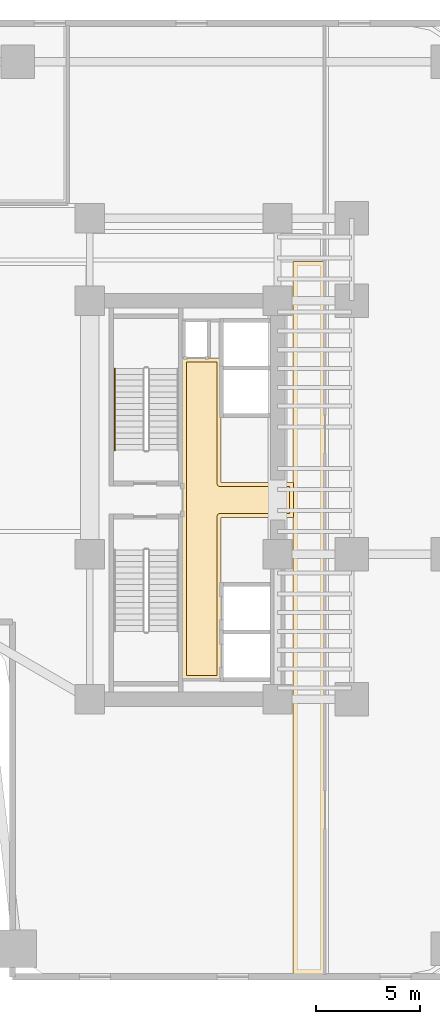
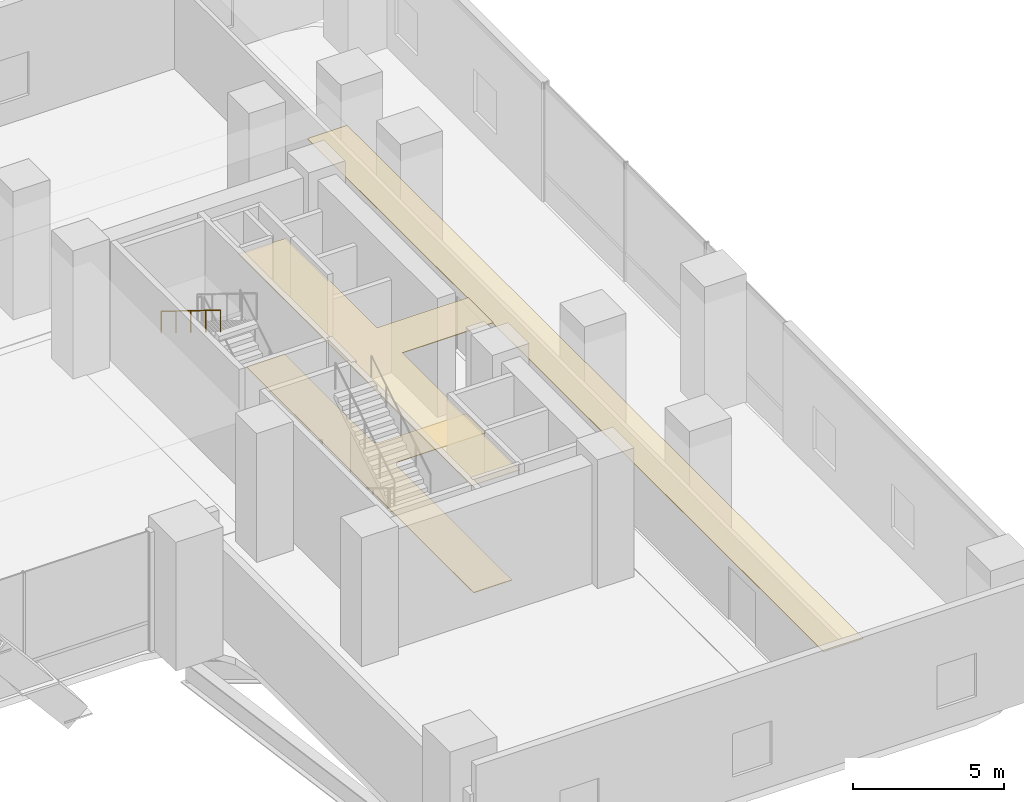
# One storey, part 36 of 39: 3 coverings, 1 railing.
"""IFC4 building model written with IfcOpenShell, lengths in metres."""

from ifc_helpers import new_model, si_unit, direction, frame, origin, origin_2d, place, context, subcontext, project, spatial, polyline, circle, outline, extrude, material, layer, layer_set, type_object, element, save


model = new_model("IFC4")

# Units and contexts
model_context = context("Model", 3, precision=1e-05, world=origin(), true_north=direction((0.0, 1.0)))
body_context = subcontext(model_context, "Body", "Model", "MODEL_VIEW")
ifc_project = project(units=[si_unit("LENGTHUNIT", "METRE"), si_unit("AREAUNIT", "SQUARE_METRE"), si_unit("VOLUMEUNIT", "CUBIC_METRE"), si_unit("PLANEANGLEUNIT", "RADIAN"), si_unit("MASSUNIT", "GRAM", prefix="KILO")], contexts=[model_context])

# Site, building, storey
site_placement = place(None, origin())
site = spatial("IfcSite", under=ifc_project, at=site_placement, CompositionType="ELEMENT")
building_placement = place(site_placement, origin())
building = spatial("IfcBuilding", under=site, at=building_placement, Name="Valdorenza Pilgrim Sanctuary Tower", CompositionType="ELEMENT")
storey_placement = place(building_placement, frame((0.0, 0.0, 15.60009765625)))
storey = spatial("IfcBuildingStorey", under=building, at=storey_placement, Name="L03", CompositionType="ELEMENT", Elevation=15.60009765625)

# Coverings
ifc_material_1 = material(Name="Micro-perforated acoustic mineral ceiling tile", Category="gypsum")
ifc_layer_1 = layer(ifc_material_1, 0.02490234375, Name="Micro-perforated acoustic mineral ceiling tile")
ifc_layer_set_1 = layer_set([ifc_layer_1], Name="Micro-perforated acoustic mineral ceiling tile")
covering_type_1 = type_object("IfcCoveringType", Name="COV-CLG-ACU", PredefinedType="CEILING", material=ifc_layer_set_1)
covering_1_placement = place(storey_placement, frame((0.0, 0.0, 4.5)))
element("IfcCovering", 1, at=covering_1_placement, inside=storey, type_object=covering_type_1, Name="L03 Core B Passenger Lift Lobby Acoustic Ceiling", PredefinedType="CEILING", context=body_context, shape_type="SweptSolid", body=[
    extrude(outline(polyline([(20.287109375, -0.814697265625), (20.287109375, 0.814697265625), (20.28662109375, 0.815185546875), (20.2861328125, 0.81640625), (20.28564453125, 0.81787109375), (20.285400390625, 0.819091796875), (20.28515625, 0.820556640625), (20.284912109375, 0.822021484375), (20.284912109375, 6.800048828125), (20.28515625, 6.801513671875), (20.285400390625, 6.802978515625), (20.28564453125, 6.804443359375), (20.2861328125, 6.8056640625), (20.286865234375, 6.80712890625), (20.28759765625, 6.808349609375), (20.288330078125, 6.8095703125), (20.289306640625, 6.810546875), (20.29052734375, 6.8115234375), (20.291748046875, 6.8125), (20.29296875, 6.813232421875), (20.294189453125, 6.81396484375), (20.295654296875, 6.814453125), (20.297119140625, 6.814697265625), (20.298583984375, 6.81494140625), (20.300048828125, 6.81494140625), (20.347900390625, 6.81494140625), (20.349365234375, 6.81494140625), (20.350830078125, 6.814697265625), (20.352294921875, 6.814453125), (20.353515625, 6.81396484375), (20.35498046875, 6.813232421875), (20.35546875, 6.81298828125), (21.544677734375, 6.81298828125), (21.545166015625, 6.813232421875), (21.54638671875, 6.81396484375), (21.5478515625, 6.814453125), (21.54931640625, 6.814697265625), (21.550537109375, 6.81494140625), (21.552001953125, 6.81494140625), (22.1201171875, 6.81494140625), (22.12158203125, 6.81494140625), (22.122802734375, 6.814697265625), (22.12451171875, 6.814453125), (22.125732421875, 6.81396484375), (22.127197265625, 6.813232421875), (22.12841796875, 6.8125), (22.12939453125, 6.8115234375), (22.130615234375, 6.810546875), (22.131591796875, 6.8095703125), (22.132568359375, 6.808349609375), (22.13330078125, 6.80712890625), (22.1337890625, 6.8056640625), (22.134521484375, 6.804443359375), (22.134765625, 6.802978515625), (22.135009765625, 6.801513671875), (22.135009765625, 6.800048828125), (22.135009765625, 0.8349609375), (25.60009765625, 0.8349609375), (25.6015625, 0.8349609375), (25.602783203125, 0.834716796875), (25.6044921875, 0.83447265625), (25.605712890625, 0.833984375), (25.607177734375, 0.833251953125), (25.6083984375, 0.83251953125), (25.609619140625, 0.83154296875), (25.610595703125, 0.83056640625), (25.611572265625, 0.82958984375), (25.612548828125, 0.828369140625), (25.61328125, 0.8271484375), (25.614013671875, 0.82568359375), (25.614501953125, 0.824462890625), (25.61474609375, 0.822998046875), (25.614990234375, 0.821533203125), (25.614990234375, 0.820068359375), (25.614990234375, -0.820068359375), (25.614990234375, -0.821533203125), (25.61474609375, -0.822998046875), (25.614501953125, -0.824462890625), (25.614013671875, -0.82568359375), (25.61328125, -0.8271484375), (25.612548828125, -0.828369140625), (25.611572265625, -0.82958984375), (25.610595703125, -0.83056640625), (25.609619140625, -0.83154296875), (25.6083984375, -0.83251953125), (25.607177734375, -0.833251953125), (25.605712890625, -0.833984375), (25.6044921875, -0.83447265625), (25.602783203125, -0.834716796875), (25.6015625, -0.8349609375), (25.60009765625, -0.8349609375), (22.135009765625, -0.8349609375), (22.135009765625, -8.60009765625), (22.135009765625, -8.6015625), (22.134765625, -8.602783203125), (22.134521484375, -8.6044921875), (22.1337890625, -8.605712890625), (22.13330078125, -8.607177734375), (22.132568359375, -8.6083984375), (22.131591796875, -8.609619140625), (22.130615234375, -8.610595703125), (22.12939453125, -8.611572265625), (22.12841796875, -8.612548828125), (22.127197265625, -8.61328125), (22.125732421875, -8.614013671875), (22.12451171875, -8.614501953125), (22.122802734375, -8.61474609375), (22.12158203125, -8.614990234375), (22.1201171875, -8.614990234375), (20.300048828125, -8.614990234375), (20.298583984375, -8.614990234375), (20.297119140625, -8.61474609375), (20.295654296875, -8.614501953125), (20.294189453125, -8.614013671875), (20.29296875, -8.61328125), (20.291748046875, -8.612548828125), (20.29052734375, -8.611572265625), (20.289306640625, -8.610595703125), (20.288330078125, -8.609619140625), (20.28759765625, -8.6083984375), (20.286865234375, -8.607177734375), (20.2861328125, -8.605712890625), (20.28564453125, -8.6044921875), (20.285400390625, -8.602783203125), (20.28515625, -8.6015625), (20.284912109375, -8.60009765625), (20.284912109375, -0.822021484375), (20.28515625, -0.820556640625), (20.285400390625, -0.819091796875), (20.28564453125, -0.81787109375), (20.2861328125, -0.81640625), (20.28662109375, -0.815185546875), (20.287109375, -0.814697265625)])), origin(), (0.0, 0.0, 1.0), 0.02490234375),
])
covering_2_placement = place(storey_placement, frame((0.0, 0.0, 4.5)))
element("IfcCovering", 2, at=covering_2_placement, inside=storey, type_object=covering_type_1, Name="L03 L03 Podium East Corridor Acoustic Ceiling", PredefinedType="CEILING", context=body_context, shape_type="SweptSolid", body=[
    extrude(outline(polyline([(25.5869140625, -0.814697265625), (25.5869140625, 0.814697265625), (25.586669921875, 0.815185546875), (25.586181640625, 0.81640625), (25.585693359375, 0.81787109375), (25.585205078125, 0.819091796875), (25.585205078125, 0.820556640625), (25.5849609375, 0.822021484375), (25.5849609375, 11.41796875), (25.585205078125, 11.41943359375), (25.585205078125, 11.4208984375), (25.585693359375, 11.42236328125), (25.586181640625, 11.423583984375), (25.5869140625, 11.425048828125), (25.58740234375, 11.42626953125), (25.58837890625, 11.427490234375), (25.58935546875, 11.4287109375), (25.590576171875, 11.4296875), (25.591796875, 11.430419921875), (25.593017578125, 11.43115234375), (25.59423828125, 11.431884765625), (25.595703125, 11.432373046875), (25.59716796875, 11.4326171875), (25.598388671875, 11.432861328125), (25.60009765625, 11.43310546875), (27.097900390625, 11.43310546875), (27.099609375, 11.432861328125), (27.100830078125, 11.4326171875), (27.102294921875, 11.432373046875), (27.103759765625, 11.431884765625), (27.10498046875, 11.43115234375), (27.106201171875, 11.430419921875), (27.107421875, 11.4296875), (27.108642578125, 11.4287109375), (27.109619140625, 11.427490234375), (27.110595703125, 11.42626953125), (27.111083984375, 11.425048828125), (27.11181640625, 11.423583984375), (27.1123046875, 11.42236328125), (27.11279296875, 11.4208984375), (27.11279296875, 11.41943359375), (27.113037109375, 11.41796875), (27.113037109375, -22.699951171875), (27.11279296875, -22.701416015625), (27.11279296875, -22.702880859375), (27.1123046875, -22.704345703125), (27.11181640625, -22.705810546875), (27.111083984375, -22.70703125), (27.110595703125, -22.708251953125), (27.109619140625, -22.70947265625), (27.108642578125, -22.710693359375), (27.107421875, -22.711669921875), (27.106201171875, -22.71240234375), (27.10498046875, -22.713134765625), (27.103759765625, -22.7138671875), (27.102294921875, -22.71435546875), (27.100830078125, -22.714599609375), (27.099609375, -22.71484375), (27.097900390625, -22.715087890625), (25.60009765625, -22.715087890625), (25.598388671875, -22.71484375), (25.59716796875, -22.714599609375), (25.595703125, -22.71435546875), (25.59423828125, -22.7138671875), (25.593017578125, -22.713134765625), (25.591796875, -22.71240234375), (25.590576171875, -22.711669921875), (25.58935546875, -22.710693359375), (25.58837890625, -22.70947265625), (25.58740234375, -22.708251953125), (25.5869140625, -22.70703125), (25.586181640625, -22.705810546875), (25.585693359375, -22.704345703125), (25.585205078125, -22.702880859375), (25.585205078125, -22.701416015625), (25.5849609375, -22.699951171875), (25.5849609375, -0.822021484375), (25.585205078125, -0.820556640625), (25.585205078125, -0.819091796875), (25.585693359375, -0.81787109375), (25.586181640625, -0.81640625), (25.586669921875, -0.815185546875), (25.5869140625, -0.814697265625)])), origin(), (0.0, 0.0, 1.0), 0.02490234375),
])
ifc_material_2 = material(Name="Honed travertine stone flooring", Category="masonry")
ifc_layer_2 = layer(ifc_material_2, 0.030029296875, Name="Honed travertine stone flooring")
ifc_layer_set_2 = layer_set([ifc_layer_2], Name="Honed travertine stone flooring")
covering_type_2 = type_object("IfcCoveringType", Name="COV-FLR-TRV", PredefinedType="FLOORING", material=ifc_layer_set_2)
covering_3_placement = place(storey_placement, origin())
element("IfcCovering", 3, at=covering_3_placement, inside=storey, type_object=covering_type_2, Name="L03 Core B Passenger Lift Lobby Flooring", PredefinedType="FLOORING", context=body_context, shape_type="SweptSolid", body=[
    extrude(outline(polyline([(20.47998046875, 6.617919921875), (21.550048828125, 6.617919921875), (21.550537109375, 6.617919921875), (21.93994140625, 6.619384765625), (21.93994140625, 0.820068359375), (21.94091796875, 0.802490234375), (21.943603515625, 0.784912109375), (21.94775390625, 0.767578125), (21.95361328125, 0.751220703125), (21.961181640625, 0.735107421875), (21.97021484375, 0.719970703125), (21.98095703125, 0.705810546875), (21.99267578125, 0.692626953125), (22.005859375, 0.680908203125), (22.02001953125, 0.67041015625), (22.03515625, 0.661376953125), (22.051025390625, 0.65380859375), (22.067626953125, 0.647705078125), (22.0849609375, 0.6435546875), (22.102294921875, 0.640869140625), (22.1201171875, 0.639892578125), (25.419921875, 0.639892578125), (25.419921875, -0.639892578125), (22.1201171875, -0.639892578125), (22.102294921875, -0.640869140625), (22.0849609375, -0.6435546875), (22.067626953125, -0.647705078125), (22.051025390625, -0.65380859375), (22.03515625, -0.661376953125), (22.02001953125, -0.67041015625), (22.005859375, -0.680908203125), (21.99267578125, -0.692626953125), (21.98095703125, -0.705810546875), (21.97021484375, -0.719970703125), (21.961181640625, -0.735107421875), (21.95361328125, -0.751220703125), (21.94775390625, -0.767578125), (21.943603515625, -0.784912109375), (21.94091796875, -0.802490234375), (21.93994140625, -0.820068359375), (21.93994140625, -8.419921875), (20.47998046875, -8.419921875), (20.47998046875, -0.846923828125), (20.47998046875, -0.8466796875), (20.47998046875, -0.8466796875), (20.481689453125, -0.8291015625), (20.481689453125, -0.828857421875), (20.48193359375, -0.820068359375), (20.48193359375, 0.820068359375), (20.47998046875, 6.617919921875)])), origin(), (0.0, 0.0, 1.0), 0.02490234375),
])

# Railing
ifc_material_3 = material(Name="Brushed stainless steel Grade 316", Category="steel")
railing_type = type_object("IfcRailingType", Name="RLG-HND-920", PredefinedType="HANDRAIL", material=ifc_material_3)
railing_placement = place(storey_placement, frame((17.050048828125, 6.300048828125, 2.773193359375)))
element("IfcRailing", 4, at=railing_placement, inside=storey, type_object=railing_type, Name="L03 ST-B1 stair handrail 2", PredefinedType="HANDRAIL", context=body_context, shape_type="SweptSolid", body=[
    extrude(circle(Radius=0.02392578125, at=origin_2d()), frame((0.0, 0.0, 0.8759765625), z_axis=(0.0, -0.850266275192, 0.526352791643), x_axis=(1.0, 0.0, 0.0)), (0.0, 0.0, 1.0), 4.610595703125),
    extrude(circle(Radius=0.02099609375, at=origin_2d()), origin(), (0.0, 0.0, 1.0), 0.851806640625),
    extrude(circle(Radius=0.02099609375, at=origin_2d()), frame((0.0, -0.97998046875, 0.606689453125)), (0.0, 0.0, 1.0), 0.851806640625),
    extrude(circle(Radius=0.02099609375, at=origin_2d()), frame((0.0, -1.9599609375, 1.21337890625)), (0.0, 0.0, 1.0), 0.851806640625),
    extrude(circle(Radius=0.02099609375, at=origin_2d()), frame((0.0, -2.940185546875, 1.820068359375)), (0.0, 0.0, 1.0), 0.851806640625),
    extrude(circle(Radius=0.02099609375, at=origin_2d()), frame((0.0, -3.920166015625, 2.4267578125)), (0.0, 0.0, 1.0), 0.851806640625),
])

save(model, "model.ifc")
